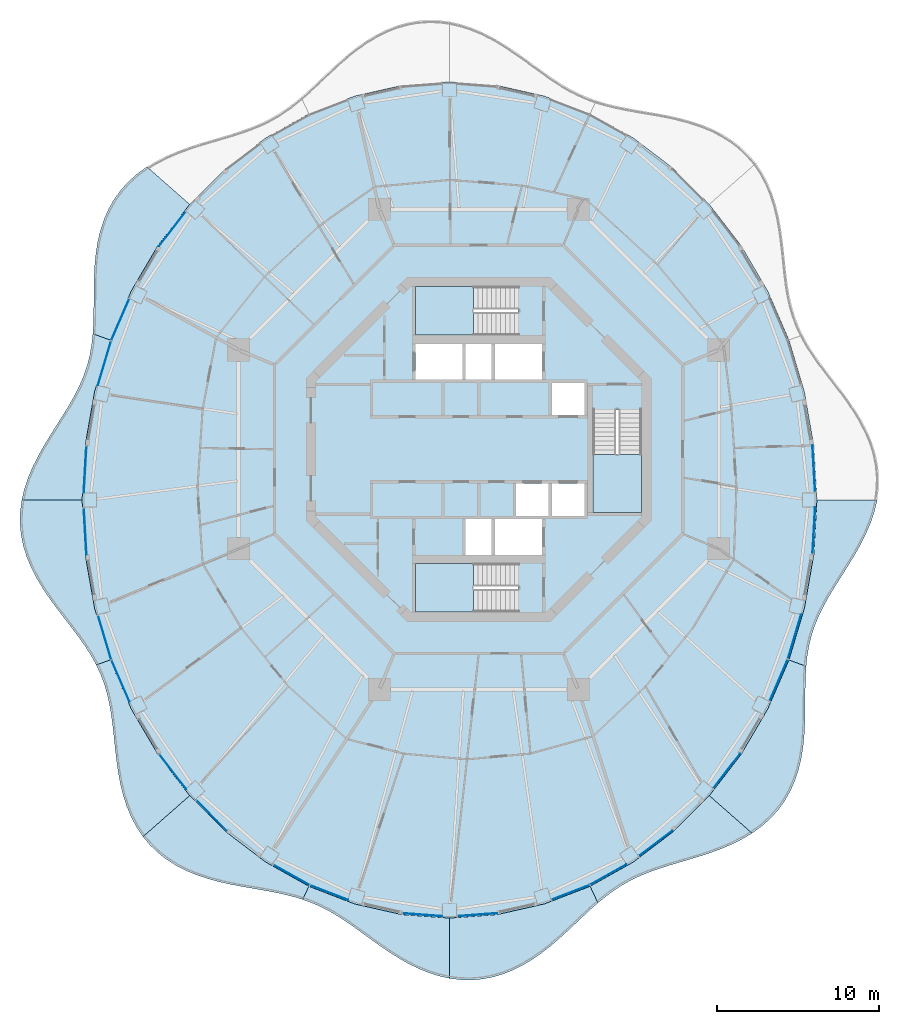
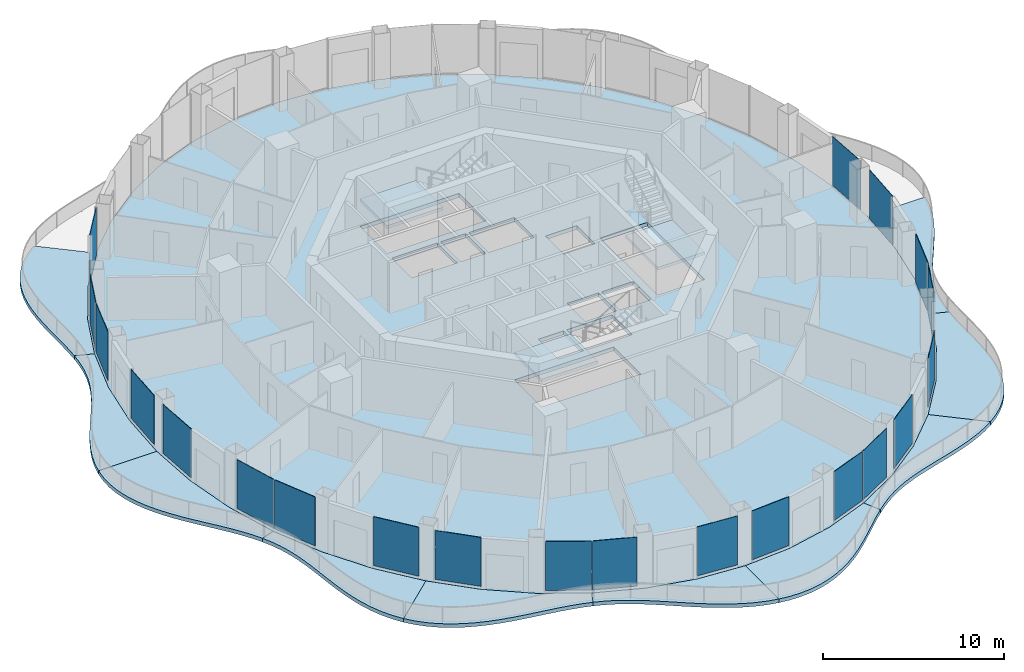
# One storey, part 8 of 17: 21 plates, 14 slabs, 24 elements without a shape of their own.
"""IFC4 building model written with IfcOpenShell, lengths in metres."""

from ifc_helpers import new_model, si_unit, direction, frame, origin, origin_2d, place, context, subcontext, project, spatial, polyline, rectangle, outline, extrude, material, layer, layer_set, type_object, element, aggregate, save


model = new_model("IFC4")

# Units and contexts
model_context = context("Model", 3, precision=1e-05, world=origin(), true_north=direction((0.0, 1.0)))
body_context = subcontext(model_context, "Body", "Model", "MODEL_VIEW")
ifc_project = project(units=[si_unit("LENGTHUNIT", "METRE"), si_unit("AREAUNIT", "SQUARE_METRE"), si_unit("VOLUMEUNIT", "CUBIC_METRE"), si_unit("PLANEANGLEUNIT", "RADIAN"), si_unit("MASSUNIT", "GRAM", prefix="KILO")], contexts=[model_context])

# Site, building, storey
site_placement = place(None, origin())
site = spatial("IfcSite", under=ifc_project, at=site_placement, CompositionType="ELEMENT")
building_placement = place(site_placement, origin())
building = spatial("IfcBuilding", under=site, at=building_placement, Name="Nagisa Residences", CompositionType="ELEMENT")
storey_placement = place(building_placement, frame((0.0, 0.0, 277.0)))
storey = spatial("IfcBuildingStorey", under=building, at=storey_placement, Name="L70", CompositionType="ELEMENT", Elevation=277.0)

# Slabs
ifc_material_1 = material(Name="Concrete C40/50", Category="concrete")
ifc_layer_1 = layer(ifc_material_1, 0.25)
ifc_layer_set_1 = layer_set([ifc_layer_1], Name="BALCONY SLAB 250")
slab_type_1 = type_object("IfcSlabType", Name="BALCONY SLAB 250", PredefinedType="FLOOR", material=ifc_layer_set_1)
slab_1_placement = place(storey_placement, frame((0.0, 0.0, -0.25)))
element("IfcSlab", 1, at=slab_1_placement, inside=storey, type_object=slab_type_1, Name="slab:L70:bal06", PredefinedType="FLOOR", context=body_context, shape_type="SweptSolid", body=[
    extrude(outline(polyline([(-20.42626953125, 17.395751953125), (-21.008056640625, 16.9755859375), (-21.539794921875, 16.50537109375), (-22.0146484375, 15.986083984375), (-22.428466796875, 15.419677734375), (-22.778076171875, 14.810546875), (-23.063720703125, 14.16357421875), (-23.287109375, 13.485595703125), (-23.452880859375, 12.783447265625), (-23.567138671875, 12.06494140625), (-23.638427734375, 11.337158203125), (-23.67626953125, 10.607421875), (-23.691650390625, 9.88232421875), (-23.696044921875, 9.1669921875), (-23.700927734375, 8.466064453125), (-23.7177734375, 7.782470703125), (-23.75634765625, 7.11767578125), (-22.6982421875, 6.732666015625), (-21.389404296875, 9.752197265625), (-19.74560546875, 12.5517578125), (-17.794677734375, 15.083251953125), (-20.42626953125, 17.395751953125)])), origin(), (0.0, 0.0, 1.0), 0.25),
])
slab_2_placement = place(storey_placement, frame((0.0, 0.0, -0.25)))
element("IfcSlab", 2, at=slab_2_placement, inside=storey, type_object=slab_type_1, Name="slab:L70:bal07", PredefinedType="FLOOR", context=body_context, shape_type="SweptSolid", body=[
    extrude(outline(polyline([(-23.75634765625, 7.11767578125), (-23.82861328125, 6.452392578125), (-23.941162109375, 5.806396484375), (-24.09912109375, 5.177978515625), (-24.305419921875, 4.5634765625), (-24.55908203125, 3.958740234375), (-24.857666015625, 3.359130859375), (-25.194580078125, 2.759765625), (-25.561767578125, 2.156494140625), (-25.94873046875, 1.544921875), (-26.343017578125, 0.921630859375), (-26.731689453125, 0.284423828125), (-27.10107421875, -0.3681640625), (-27.4375, -1.0361328125), (-27.728271484375, -1.718505859375), (-27.962158203125, -2.41357421875), (-28.12939453125, -3.11767578125), (-24.419921875, -3.11767578125), (-24.2265625, 0.241943359375), (-23.649169921875, 3.544189453125), (-22.6982421875, 6.732666015625), (-23.75634765625, 7.11767578125)])), origin(), (0.0, 0.0, 1.0), 0.25),
])
slab_3_placement = place(storey_placement, frame((0.0, 0.0, -0.25)))
element("IfcSlab", 3, at=slab_3_placement, inside=storey, type_object=slab_type_1, Name="slab:L70:bal08", PredefinedType="FLOOR", context=body_context, shape_type="SweptSolid", body=[
    extrude(outline(polyline([(-28.12939453125, -3.11767578125), (-28.223388671875, -3.82763671875), (-28.2392578125, -4.538818359375), (-28.175537109375, -5.246826171875), (-28.033447265625, -5.947509765625), (-27.817626953125, -6.636962890625), (-27.534423828125, -7.3115234375), (-27.193359375, -7.96923828125), (-26.8056640625, -8.6083984375), (-26.384033203125, -9.22900390625), (-25.941162109375, -9.83203125), (-25.4912109375, -10.419921875), (-25.047119140625, -10.99609375), (-24.620849609375, -11.564453125), (-24.222900390625, -12.13037109375), (-23.861572265625, -12.698974609375), (-23.54296875, -13.275390625), (-22.6982421875, -12.968017578125), (-23.649169921875, -9.77978515625), (-24.2265625, -6.4775390625), (-24.419921875, -3.11767578125), (-28.12939453125, -3.11767578125)])), origin(), (0.0, 0.0, 1.0), 0.25),
])
slab_4_placement = place(storey_placement, frame((0.0, 0.0, -0.25)))
element("IfcSlab", 4, at=slab_4_placement, inside=storey, type_object=slab_type_1, Name="slab:L70:bal09", PredefinedType="FLOOR", context=body_context, shape_type="SweptSolid", body=[
    extrude(outline(polyline([(-23.54296875, -13.275390625), (-23.278076171875, -13.8466796875), (-23.056640625, -14.434326171875), (-22.876953125, -15.041259765625), (-22.734619140625, -15.669921875), (-22.623291015625, -16.321044921875), (-22.534423828125, -16.99365234375), (-22.458251953125, -17.68603515625), (-22.38427734375, -18.39453125), (-22.3017578125, -19.11376953125), (-22.198974609375, -19.837646484375), (-22.06591796875, -20.559326171875), (-21.892822265625, -21.27001953125), (-21.671875, -21.962158203125), (-21.396484375, -22.626953125), (-21.06298828125, -23.2568359375), (-20.668701171875, -23.84423828125), (-17.794677734375, -21.318603515625), (-19.74560546875, -18.787109375), (-21.389404296875, -15.98779296875), (-22.6982421875, -12.968017578125), (-23.54296875, -13.275390625)])), origin(), (0.0, 0.0, 1.0), 0.25),
])
slab_5_placement = place(storey_placement, frame((0.0, 0.0, -0.25)))
element("IfcSlab", 5, at=slab_5_placement, inside=storey, type_object=slab_type_1, Name="slab:L70:bal10", PredefinedType="FLOOR", context=body_context, shape_type="SweptSolid", body=[
    extrude(outline(polyline([(-20.668701171875, -23.84423828125), (-20.237060546875, -24.359375), (-19.75244140625, -24.826904296875), (-19.218994140625, -25.244384765625), (-18.6416015625, -25.610595703125), (-18.02685546875, -25.9267578125), (-17.3818359375, -26.1953125), (-16.714599609375, -26.42041015625), (-16.033203125, -26.607666015625), (-15.345458984375, -26.763916015625), (-14.65869140625, -26.8974609375), (-13.979248046875, -27.01708984375), (-13.31298828125, -27.131591796875), (-12.6640625, -27.25), (-12.03466796875, -27.381103515625), (-11.426513671875, -27.5322265625), (-10.8388671875, -27.710205078125), (-10.456298828125, -26.8984375), (-13.110107421875, -25.4091796875), (-15.570068359375, -23.53857421875), (-17.794677734375, -21.318603515625), (-20.668701171875, -23.84423828125)])), origin(), (0.0, 0.0, 1.0), 0.25),
])
slab_6_placement = place(storey_placement, frame((0.0, 0.0, -0.25)))
element("IfcSlab", 6, at=slab_6_placement, inside=storey, type_object=slab_type_1, Name="slab:L70:bal11", PredefinedType="FLOOR", context=body_context, shape_type="SweptSolid", body=[
    extrude(outline(polyline([(-10.8388671875, -27.710205078125), (-10.29052734375, -27.911376953125), (-9.75732421875, -28.144775390625), (-9.235595703125, -28.411376953125), (-8.72119140625, -28.710693359375), (-8.209716796875, -29.039794921875), (-7.696044921875, -29.39453125), (-7.17626953125, -29.76904296875), (-6.645751953125, -30.15576171875), (-6.10107421875, -30.5458984375), (-5.53955078125, -30.93017578125), (-4.95947265625, -31.298583984375), (-4.360595703125, -31.64111328125), (-3.742919921875, -31.94775390625), (-3.1083984375, -32.20947265625), (-2.45947265625, -32.418212890625), (-1.800048828125, -32.567138671875), (-1.800048828125, -28.857666015625), (-4.75244140625, -28.637451171875), (-7.654541015625, -27.980712890625), (-10.456298828125, -26.8984375), (-10.8388671875, -27.710205078125)])), origin(), (0.0, 0.0, 1.0), 0.25),
])
slab_7_placement = place(storey_placement, frame((0.0, 0.0, -0.25)))
element("IfcSlab", 7, at=slab_7_placement, inside=storey, type_object=slab_type_1, Name="slab:L70:bal12", PredefinedType="FLOOR", context=body_context, shape_type="SweptSolid", body=[
    extrude(outline(polyline([(-1.800048828125, -32.567138671875), (-1.1337890625, -32.651123046875), (-0.4658203125, -32.666748046875), (0.19921875, -32.61279296875), (0.856201171875, -32.489990234375), (1.5009765625, -32.300537109375), (2.129638671875, -32.049072265625), (2.738525390625, -31.741943359375), (3.325927734375, -31.38671875), (3.89013671875, -30.99169921875), (4.431884765625, -30.56689453125), (4.95166015625, -30.121826171875), (5.4521484375, -29.66650390625), (5.936767578125, -29.21044921875), (6.4091796875, -28.762451171875), (6.87451171875, -28.330078125), (7.337890625, -27.920166015625), (6.856201171875, -26.8984375), (4.054443359375, -27.980712890625), (1.152587890625, -28.637451171875), (-1.800048828125, -28.857666015625), (-1.800048828125, -32.567138671875)])), origin(), (0.0, 0.0, 1.0), 0.25),
])
slab_8_placement = place(storey_placement, frame((0.0, 0.0, -0.25)))
element("IfcSlab", 8, at=slab_8_placement, inside=storey, type_object=slab_type_1, Name="slab:L70:bal13", PredefinedType="FLOOR", context=body_context, shape_type="SweptSolid", body=[
    extrude(outline(polyline([(7.337890625, -27.920166015625), (7.822265625, -27.523681640625), (8.315673828125, -27.16015625), (8.8232421875, -26.8310546875), (9.349365234375, -26.5361328125), (9.897216796875, -26.27294921875), (10.46875, -26.037109375), (11.064208984375, -25.823486328125), (11.68212890625, -25.624755859375), (12.31982421875, -25.433349609375), (12.972900390625, -25.240966796875), (13.635498046875, -25.039306640625), (14.30078125, -24.820068359375), (14.9609375, -24.575927734375), (15.607666015625, -24.299560546875), (16.232177734375, -23.986083984375), (16.826171875, -23.631103515625), (14.19482421875, -21.318603515625), (11.97021484375, -23.53857421875), (9.510009765625, -25.4091796875), (6.856201171875, -26.8984375), (7.337890625, -27.920166015625)])), origin(), (0.0, 0.0, 1.0), 0.25),
])
slab_9_placement = place(storey_placement, frame((0.0, 0.0, -0.25)))
element("IfcSlab", 9, at=slab_9_placement, inside=storey, type_object=slab_type_1, Name="slab:L70:bal14", PredefinedType="FLOOR", context=body_context, shape_type="SweptSolid", body=[
    extrude(outline(polyline([(16.826171875, -23.631103515625), (17.407958984375, -23.2109375), (17.939697265625, -22.740966796875), (18.414794921875, -22.221435546875), (18.828369140625, -21.655029296875), (19.17822265625, -21.0458984375), (19.4638671875, -20.39892578125), (19.687255859375, -19.720947265625), (19.852783203125, -19.018798828125), (19.967041015625, -18.30029296875), (20.038330078125, -17.572509765625), (20.076171875, -16.843017578125), (20.091552734375, -16.11767578125), (20.095947265625, -15.40234375), (20.10107421875, -14.701416015625), (20.11767578125, -14.017822265625), (20.15625, -13.353271484375), (19.09814453125, -12.968017578125), (17.78955078125, -15.98779296875), (16.145751953125, -18.787109375), (14.19482421875, -21.318603515625), (16.826171875, -23.631103515625)])), origin(), (0.0, 0.0, 1.0), 0.25),
])
slab_10_placement = place(storey_placement, frame((0.0, 0.0, -0.25)))
element("IfcSlab", 10, at=slab_10_placement, inside=storey, type_object=slab_type_1, Name="slab:L70:bal15", PredefinedType="FLOOR", context=body_context, shape_type="SweptSolid", body=[
    extrude(outline(polyline([(20.15625, -13.353271484375), (20.228515625, -12.687744140625), (20.341064453125, -12.0419921875), (20.4990234375, -11.413330078125), (20.705322265625, -10.798828125), (20.959228515625, -10.194091796875), (21.257568359375, -9.594482421875), (21.594482421875, -8.9951171875), (21.961669921875, -8.391845703125), (22.3486328125, -7.7802734375), (22.742919921875, -7.156982421875), (23.131591796875, -6.519775390625), (23.5009765625, -5.8671875), (23.83740234375, -5.19921875), (24.128173828125, -4.516845703125), (24.362060546875, -3.822021484375), (24.529541015625, -3.11767578125), (20.820068359375, -3.11767578125), (20.62646484375, -6.4775390625), (20.04931640625, -9.77978515625), (19.09814453125, -12.968017578125), (20.15625, -13.353271484375)])), origin(), (0.0, 0.0, 1.0), 0.25),
])

# Curtain wall, plate
ifc_material_2 = material(Name="Concrete-coloured aluminium curtain wall system", Category="concrete")
ifc_layer_2 = layer(ifc_material_2, 0.159912109375)
ifc_layer_set_2 = layer_set([ifc_layer_2], Name="CW1 CURTAIN WALL")
curtain_wall_type = type_object("IfcCurtainWallType", Name="CW1 CURTAIN WALL", PredefinedType="NOTDEFINED", material=ifc_layer_set_2)
curtain_wall_1_placement = place(storey_placement, origin())
curtain_wall_1 = element("IfcCurtainWall", 11, at=curtain_wall_1_placement, inside=storey, type_object=curtain_wall_type, Name="cw:CW1:L70:00", PredefinedType="NOTDEFINED")
ifc_material_3 = material(Name="Clear laminated glass", Category="glass")
ifc_layer_3 = layer(ifc_material_3, 0.028076171875)
ifc_layer_set_3 = layer_set([ifc_layer_3], Name="CW1 GLASS PANEL")
plate_type = type_object("IfcPlateType", Name="CW1 GLASS PANEL", PredefinedType="CURTAIN_PANEL", material=ifc_layer_set_3)
plate_1_placement = place(storey_placement, frame((20.628662109375, -1.187744140625, 0.14990234375), z_axis=(0.0, 0.0, 1.0), x_axis=(-0.057503492216, 0.998345305184, 0.0)))
plate_1 = element("IfcPlate", 12, at=plate_1_placement, type_object=plate_type, Name="CW1 panel", PredefinedType="CURTAIN_PANEL", context=body_context, shape_type="SweptSolid", body=[
    extrude(rectangle(XDim=2.855224609375, YDim=0.028076171875, at=origin_2d()), origin(), (0.0, 0.0, 1.0), 3.2900390625),
])
aggregate(curtain_wall_1, [plate_1])

curtain_wall_2_placement = place(storey_placement, origin())
curtain_wall_2 = element("IfcCurtainWall", 13, at=curtain_wall_2_placement, inside=storey, type_object=curtain_wall_type, Name="cw:CW1:L70:18", PredefinedType="NOTDEFINED")
plate_2_placement = place(storey_placement, frame((-18.862548828125, 13.566650390625, 0.14990234375), z_axis=(0.0, 0.0, 1.0), x_axis=(-0.610429828235, -0.792070340816, 0.0)))
plate_2 = element("IfcPlate", 14, at=plate_2_placement, type_object=plate_type, Name="CW1 panel", PredefinedType="CURTAIN_PANEL", context=body_context, shape_type="SweptSolid", body=[
    extrude(rectangle(XDim=2.68603515625, YDim=0.028076171875, at=origin_2d()), origin(), (0.0, 0.0, 1.0), 3.2900390625),
])
aggregate(curtain_wall_2, [plate_2])

curtain_wall_3_placement = place(storey_placement, origin())
curtain_wall_3 = element("IfcCurtainWall", 15, at=curtain_wall_3_placement, inside=storey, type_object=curtain_wall_type, Name="cw:CW1:L70:20", PredefinedType="NOTDEFINED")
plate_3_placement = place(storey_placement, frame((-22.07177734375, 7.9765625, 0.14990234375), z_axis=(0.0, 0.0, 1.0), x_axis=(-0.397635934147, -0.917543276295, 0.0)))
plate_3 = element("IfcPlate", 16, at=plate_3_placement, type_object=plate_type, Name="CW1 panel", PredefinedType="CURTAIN_PANEL", context=body_context, shape_type="SweptSolid", body=[
    extrude(rectangle(XDim=2.781005859375, YDim=0.028076171875, at=origin_2d()), origin(), (0.0, 0.0, 1.0), 3.2900390625),
])
aggregate(curtain_wall_3, [plate_3])

curtain_wall_4_placement = place(storey_placement, origin())
curtain_wall_4 = element("IfcCurtainWall", 17, at=curtain_wall_4_placement, inside=storey, type_object=curtain_wall_type, Name="cw:CW1:L70:21", PredefinedType="NOTDEFINED")
plate_4_placement = place(storey_placement, frame((-23.041259765625, 5.302490234375, 0.14990234375), z_axis=(0.0, 0.0, 1.0), x_axis=(-0.285860274038, -0.958271310082, 0.0)))
plate_4 = element("IfcPlate", 18, at=plate_4_placement, type_object=plate_type, Name="CW1 panel", PredefinedType="CURTAIN_PANEL", context=body_context, shape_type="SweptSolid", body=[
    extrude(rectangle(XDim=2.817138671875, YDim=0.028076171875, at=origin_2d()), origin(), (0.0, 0.0, 1.0), 3.2900390625),
])
aggregate(curtain_wall_4, [plate_4])

curtain_wall_5_placement = place(storey_placement, origin())
curtain_wall_5 = element("IfcCurtainWall", 19, at=curtain_wall_5_placement, inside=storey, type_object=curtain_wall_type, Name="cw:CW1:L70:23", PredefinedType="NOTDEFINED")
plate_5_placement = place(storey_placement, frame((-24.232177734375, -1.247802734375, 0.14990234375), z_axis=(0.0, 0.0, 1.0), x_axis=(-0.057503492216, -0.998345305184, 0.0)))
plate_5 = element("IfcPlate", 20, at=plate_5_placement, type_object=plate_type, Name="CW1 panel", PredefinedType="CURTAIN_PANEL", context=body_context, shape_type="SweptSolid", body=[
    extrude(rectangle(XDim=2.855224609375, YDim=0.028076171875, at=origin_2d()), origin(), (0.0, 0.0, 1.0), 3.2900390625),
])
aggregate(curtain_wall_5, [plate_5])

curtain_wall_6_placement = place(storey_placement, origin())
curtain_wall_6 = element("IfcCurtainWall", 21, at=curtain_wall_6_placement, inside=storey, type_object=curtain_wall_type, Name="cw:CW1:L70:24", PredefinedType="NOTDEFINED")
plate_6_placement = place(storey_placement, frame((-24.228759765625, -5.047607421875, 0.14990234375), z_axis=(0.0, 0.0, 1.0), x_axis=(0.057503492216, -0.998345305184, 0.0)))
plate_6 = element("IfcPlate", 22, at=plate_6_placement, type_object=plate_type, Name="CW1 panel", PredefinedType="CURTAIN_PANEL", context=body_context, shape_type="SweptSolid", body=[
    extrude(rectangle(XDim=2.855224609375, YDim=0.028076171875, at=origin_2d()), origin(), (0.0, 0.0, 1.0), 3.2900390625),
])
aggregate(curtain_wall_6, [plate_6])

curtain_wall_7_placement = place(storey_placement, origin())
curtain_wall_7 = element("IfcCurtainWall", 23, at=curtain_wall_7_placement, inside=storey, type_object=curtain_wall_type, Name="cw:CW1:L70:26", PredefinedType="NOTDEFINED")
plate_7_placement = place(storey_placement, frame((-23.024169921875, -11.59521484375, 0.14990234375), z_axis=(0.0, 0.0, 1.0), x_axis=(0.285860274038, -0.958271310082, 0.0)))
plate_7 = element("IfcPlate", 24, at=plate_7_placement, type_object=plate_type, Name="CW1 panel", PredefinedType="CURTAIN_PANEL", context=body_context, shape_type="SweptSolid", body=[
    extrude(rectangle(XDim=2.817138671875, YDim=0.028076171875, at=origin_2d()), origin(), (0.0, 0.0, 1.0), 3.2900390625),
])
aggregate(curtain_wall_7, [plate_7])

curtain_wall_8_placement = place(storey_placement, origin())
curtain_wall_8 = element("IfcCurtainWall", 25, at=curtain_wall_8_placement, inside=storey, type_object=curtain_wall_type, Name="cw:CW1:L70:27", PredefinedType="NOTDEFINED")
plate_8_placement = place(storey_placement, frame((-22.0478515625, -14.26708984375, 0.14990234375), z_axis=(0.0, 0.0, 1.0), x_axis=(0.397635934147, -0.917543276295, 0.0)))
plate_8 = element("IfcPlate", 26, at=plate_8_placement, type_object=plate_type, Name="CW1 panel", PredefinedType="CURTAIN_PANEL", context=body_context, shape_type="SweptSolid", body=[
    extrude(rectangle(XDim=2.781005859375, YDim=0.028076171875, at=origin_2d()), origin(), (0.0, 0.0, 1.0), 3.2900390625),
])
aggregate(curtain_wall_8, [plate_8])

curtain_wall_9_placement = place(storey_placement, origin())
curtain_wall_9 = element("IfcCurtainWall", 27, at=curtain_wall_9_placement, inside=storey, type_object=curtain_wall_type, Name="cw:CW1:L70:29", PredefinedType="NOTDEFINED")
plate_9_placement = place(storey_placement, frame((-18.825927734375, -19.849609375, 0.14990234375), z_axis=(0.0, 0.0, 1.0), x_axis=(0.610429828235, -0.792070340816, 0.0)))
plate_9 = element("IfcPlate", 28, at=plate_9_placement, type_object=plate_type, Name="CW1 panel", PredefinedType="CURTAIN_PANEL", context=body_context, shape_type="SweptSolid", body=[
    extrude(rectangle(XDim=2.68603515625, YDim=0.028076171875, at=origin_2d()), origin(), (0.0, 0.0, 1.0), 3.2900390625),
])
aggregate(curtain_wall_9, [plate_9])

curtain_wall_10_placement = place(storey_placement, origin())
curtain_wall_10 = element("IfcCurtainWall", 29, at=curtain_wall_10_placement, inside=storey, type_object=curtain_wall_type, Name="cw:CW1:L70:30", PredefinedType="NOTDEFINED")
plate_10_placement = place(storey_placement, frame((-16.445556640625, -22.552001953125, 0.14990234375), z_axis=(0.0, 0.0, 1.0), x_axis=(0.707835924016, -0.706376885714, 0.0)))
plate_10 = element("IfcPlate", 30, at=plate_10_placement, type_object=plate_type, Name="CW1 panel", PredefinedType="CURTAIN_PANEL", context=body_context, shape_type="SweptSolid", body=[
    extrude(rectangle(XDim=2.6328125, YDim=0.028076171875, at=origin_2d()), origin(), (0.0, 0.0, 1.0), 3.2900390625),
])
aggregate(curtain_wall_10, [plate_10])

curtain_wall_11_placement = place(storey_placement, origin())
curtain_wall_11 = element("IfcCurtainWall", 31, at=curtain_wall_11_placement, inside=storey, type_object=curtain_wall_type, Name="cw:CW1:L70:32", PredefinedType="NOTDEFINED")
plate_11_placement = place(storey_placement, frame((-11.521728515625, -26.208740234375, 0.14990234375), z_axis=(0.0, 0.0, 1.0), x_axis=(0.872072377523, -0.489376918501, 0.0)))
plate_11 = element("IfcPlate", 32, at=plate_11_placement, type_object=plate_type, Name="CW1 panel", PredefinedType="CURTAIN_PANEL", context=body_context, shape_type="SweptSolid", body=[
    extrude(rectangle(XDim=2.532958984375, YDim=0.028076171875, at=origin_2d()), origin(), (0.0, 0.0, 1.0), 3.2900390625),
])
aggregate(curtain_wall_11, [plate_11])

curtain_wall_12_placement = place(storey_placement, origin())
curtain_wall_12 = element("IfcCurtainWall", 33, at=curtain_wall_12_placement, inside=storey, type_object=curtain_wall_type, Name="cw:CW1:L70:33", PredefinedType="NOTDEFINED")
plate_12_placement = place(storey_placement, frame((-9.20849609375, -27.294677734375, 0.14990234375), z_axis=(0.0, 0.0, 1.0), x_axis=(0.932825759707, -0.360327770268, 0.0)))
plate_12 = element("IfcPlate", 34, at=plate_12_placement, type_object=plate_type, Name="CW1 panel", PredefinedType="CURTAIN_PANEL", context=body_context, shape_type="SweptSolid", body=[
    extrude(rectangle(XDim=2.49365234375, YDim=0.028076171875, at=origin_2d()), origin(), (0.0, 0.0, 1.0), 3.2900390625),
])
aggregate(curtain_wall_12, [plate_12])

curtain_wall_13_placement = place(storey_placement, origin())
curtain_wall_13 = element("IfcCurtainWall", 35, at=curtain_wall_13_placement, inside=storey, type_object=curtain_wall_type, Name="cw:CW1:L70:35", PredefinedType="NOTDEFINED")
plate_13_placement = place(storey_placement, frame((-3.46484375, -28.6533203125, 0.14990234375), z_axis=(0.0, 0.0, 1.0), x_axis=(0.997230168512, -0.074377355493, 0.0)))
plate_13 = element("IfcPlate", 36, at=plate_13_placement, type_object=plate_type, Name="CW1 panel", PredefinedType="CURTAIN_PANEL", context=body_context, shape_type="SweptSolid", body=[
    extrude(rectangle(XDim=2.45068359375, YDim=0.028076171875, at=origin_2d()), origin(), (0.0, 0.0, 1.0), 3.2900390625),
])
aggregate(curtain_wall_13, [plate_13])

curtain_wall_14_placement = place(storey_placement, origin())
curtain_wall_14 = element("IfcCurtainWall", 37, at=curtain_wall_14_placement, inside=storey, type_object=curtain_wall_type, Name="cw:CW1:L70:36", PredefinedType="NOTDEFINED")
plate_14_placement = place(storey_placement, frame((-0.075439453125, -28.64892578125, 0.14990234375), z_axis=(0.0, 0.0, 1.0), x_axis=(0.997230168512, 0.074377355493, 0.0)))
plate_14 = element("IfcPlate", 38, at=plate_14_placement, type_object=plate_type, Name="CW1 panel", PredefinedType="CURTAIN_PANEL", context=body_context, shape_type="SweptSolid", body=[
    extrude(rectangle(XDim=2.45068359375, YDim=0.028076171875, at=origin_2d()), origin(), (0.0, 0.0, 1.0), 3.2900390625),
])
aggregate(curtain_wall_14, [plate_14])

curtain_wall_15_placement = place(storey_placement, origin())
curtain_wall_15 = element("IfcCurtainWall", 39, at=curtain_wall_15_placement, inside=storey, type_object=curtain_wall_type, Name="cw:CW1:L70:38", PredefinedType="NOTDEFINED")
plate_15_placement = place(storey_placement, frame((5.66455078125, -27.27294921875, 0.14990234375), z_axis=(0.0, 0.0, 1.0), x_axis=(0.932825759707, 0.360327770268, 0.0)))
plate_15 = element("IfcPlate", 40, at=plate_15_placement, type_object=plate_type, Name="CW1 panel", PredefinedType="CURTAIN_PANEL", context=body_context, shape_type="SweptSolid", body=[
    extrude(rectangle(XDim=2.49365234375, YDim=0.028076171875, at=origin_2d()), origin(), (0.0, 0.0, 1.0), 3.2900390625),
])
aggregate(curtain_wall_15, [plate_15])

curtain_wall_16_placement = place(storey_placement, origin())
curtain_wall_16 = element("IfcCurtainWall", 41, at=curtain_wall_16_placement, inside=storey, type_object=curtain_wall_type, Name="cw:CW1:L70:39", PredefinedType="NOTDEFINED")
plate_16_placement = place(storey_placement, frame((7.973876953125, -26.179443359375, 0.14990234375), z_axis=(0.0, 0.0, 1.0), x_axis=(0.872072377523, 0.489376918501, 0.0)))
plate_16 = element("IfcPlate", 42, at=plate_16_placement, type_object=plate_type, Name="CW1 panel", PredefinedType="CURTAIN_PANEL", context=body_context, shape_type="SweptSolid", body=[
    extrude(rectangle(XDim=2.532958984375, YDim=0.028076171875, at=origin_2d()), origin(), (0.0, 0.0, 1.0), 3.2900390625),
])
aggregate(curtain_wall_16, [plate_16])

curtain_wall_17_placement = place(storey_placement, origin())
curtain_wall_17 = element("IfcCurtainWall", 43, at=curtain_wall_17_placement, inside=storey, type_object=curtain_wall_type, Name="cw:CW1:L70:40", PredefinedType="NOTDEFINED")
plate_17_placement = place(storey_placement, frame((10.894775390625, -24.255859375, 0.14990234375), z_axis=(0.0, 0.0, 1.0), x_axis=(0.79603132756, 0.605255421737, 0.0)))
plate_17 = element("IfcPlate", 44, at=plate_17_placement, type_object=plate_type, Name="CW1 panel", PredefinedType="CURTAIN_PANEL", context=body_context, shape_type="SweptSolid", body=[
    extrude(rectangle(XDim=2.58056640625, YDim=0.028076171875, at=origin_2d()), origin(), (0.0, 0.0, 1.0), 3.2900390625),
])
aggregate(curtain_wall_17, [plate_17])

curtain_wall_18_placement = place(storey_placement, origin())
curtain_wall_18 = element("IfcCurtainWall", 45, at=curtain_wall_18_placement, inside=storey, type_object=curtain_wall_type, Name="cw:CW1:L70:42", PredefinedType="NOTDEFINED")
plate_18_placement = place(storey_placement, frame((15.262451171875, -19.802001953125, 0.14990234375), z_axis=(0.0, 0.0, 1.0), x_axis=(0.610429828235, 0.792070340816, 0.0)))
plate_18 = element("IfcPlate", 46, at=plate_18_placement, type_object=plate_type, Name="CW1 panel", PredefinedType="CURTAIN_PANEL", context=body_context, shape_type="SweptSolid", body=[
    extrude(rectangle(XDim=2.68603515625, YDim=0.028076171875, at=origin_2d()), origin(), (0.0, 0.0, 1.0), 3.2900390625),
])
aggregate(curtain_wall_18, [plate_18])

curtain_wall_19_placement = place(storey_placement, origin())
curtain_wall_19 = element("IfcCurtainWall", 47, at=curtain_wall_19_placement, inside=storey, type_object=curtain_wall_type, Name="cw:CW1:L70:44", PredefinedType="NOTDEFINED")
plate_19_placement = place(storey_placement, frame((18.471923828125, -14.212158203125, 0.14990234375), z_axis=(0.0, 0.0, 1.0), x_axis=(0.397635934147, 0.917543276295, 0.0)))
plate_19 = element("IfcPlate", 48, at=plate_19_placement, type_object=plate_type, Name="CW1 panel", PredefinedType="CURTAIN_PANEL", context=body_context, shape_type="SweptSolid", body=[
    extrude(rectangle(XDim=2.781005859375, YDim=0.028076171875, at=origin_2d()), origin(), (0.0, 0.0, 1.0), 3.2900390625),
])
aggregate(curtain_wall_19, [plate_19])

curtain_wall_20_placement = place(storey_placement, origin())
curtain_wall_20 = element("IfcCurtainWall", 49, at=curtain_wall_20_placement, inside=storey, type_object=curtain_wall_type, Name="cw:CW1:L70:45", PredefinedType="NOTDEFINED")
plate_20_placement = place(storey_placement, frame((19.44140625, -11.537841796875, 0.14990234375), z_axis=(0.0, 0.0, 1.0), x_axis=(0.285860274038, 0.958271310082, 0.0)))
plate_20 = element("IfcPlate", 50, at=plate_20_placement, type_object=plate_type, Name="CW1 panel", PredefinedType="CURTAIN_PANEL", context=body_context, shape_type="SweptSolid", body=[
    extrude(rectangle(XDim=2.817138671875, YDim=0.028076171875, at=origin_2d()), origin(), (0.0, 0.0, 1.0), 3.2900390625),
])
aggregate(curtain_wall_20, [plate_20])

curtain_wall_21_placement = place(storey_placement, origin())
curtain_wall_21 = element("IfcCurtainWall", 51, at=curtain_wall_21_placement, inside=storey, type_object=curtain_wall_type, Name="cw:CW1:L70:47", PredefinedType="NOTDEFINED")
plate_21_placement = place(storey_placement, frame((20.632080078125, -4.987548828125, 0.14990234375), z_axis=(0.0, 0.0, 1.0), x_axis=(0.057503492216, 0.998345305184, 0.0)))
plate_21 = element("IfcPlate", 52, at=plate_21_placement, type_object=plate_type, Name="CW1 panel", PredefinedType="CURTAIN_PANEL", context=body_context, shape_type="SweptSolid", body=[
    extrude(rectangle(XDim=2.855224609375, YDim=0.028076171875, at=origin_2d()), origin(), (0.0, 0.0, 1.0), 3.2900390625),
])
aggregate(curtain_wall_21, [plate_21])

# Slab
ifc_material_4 = material(Name="Concrete C40", Category="concrete")
ifc_layer_4 = layer(ifc_material_4, 0.260009765625)
ifc_layer_set_4 = layer_set([ifc_layer_4], Name="Floor slab 260")
slab_type_2 = type_object("IfcSlabType", Name="Floor slab 260", PredefinedType="FLOOR", material=ifc_layer_set_4)
slab_11_placement = place(storey_placement, frame((0.0, 0.0, -0.260009765625)))
element("IfcSlab", 53, at=slab_11_placement, inside=storey, type_object=slab_type_2, Name="slab:L70:floor", PredefinedType="FLOOR", context=body_context, shape_type="SweptSolid", body=[
    extrude(outline(polyline([(20.820068359375, -3.11767578125), (20.62646484375, 0.241943359375), (20.04931640625, 3.544189453125), (19.09814453125, 6.732666015625), (17.78955078125, 9.752197265625), (16.145751953125, 12.5517578125), (14.19482421875, 15.083251953125), (11.97021484375, 17.30322265625), (9.510009765625, 19.173828125), (6.856201171875, 20.6630859375), (4.054443359375, 21.745361328125), (1.152587890625, 22.402099609375), (-1.800048828125, 22.622314453125), (-4.75244140625, 22.402099609375), (-7.654541015625, 21.745361328125), (-10.456298828125, 20.6630859375), (-13.110107421875, 19.173828125), (-15.570068359375, 17.30322265625), (-17.794677734375, 15.083251953125), (-19.74560546875, 12.5517578125), (-21.389404296875, 9.752197265625), (-22.6982421875, 6.732666015625), (-23.649169921875, 3.544189453125), (-24.2265625, 0.241943359375), (-24.419921875, -3.11767578125), (-24.2265625, -6.4775390625), (-23.649169921875, -9.77978515625), (-22.6982421875, -12.968017578125), (-21.389404296875, -15.98779296875), (-19.74560546875, -18.787109375), (-17.794677734375, -21.318603515625), (-15.570068359375, -23.53857421875), (-13.110107421875, -25.4091796875), (-10.456298828125, -26.8984375), (-7.654541015625, -27.980712890625), (-4.75244140625, -28.637451171875), (-1.800048828125, -28.857666015625), (1.152587890625, -28.637451171875), (4.054443359375, -27.980712890625), (6.856201171875, -26.8984375), (9.510009765625, -25.4091796875), (11.97021484375, -23.53857421875), (14.19482421875, -21.318603515625), (16.145751953125, -18.787109375), (17.78955078125, -15.98779296875), (19.09814453125, -12.968017578125), (20.04931640625, -9.77978515625), (20.62646484375, -6.4775390625), (20.820068359375, -3.11767578125)]), holes=[polyline([(6.5, 2.10009765625), (6.5, 4.10009765625), (4.5, 4.10009765625), (4.5, 2.10009765625), (6.5, 2.10009765625)]), polyline([(4.300048828125, -4.10009765625), (4.300048828125, -2.10009765625), (2.300048828125, -2.10009765625), (2.300048828125, -4.10009765625), (4.300048828125, -4.10009765625)]), polyline([(6.5, -4.10009765625), (6.5, -2.10009765625), (4.5, -2.10009765625), (4.5, -4.10009765625), (6.5, -4.10009765625)]), polyline([(3.89990234375, 4.300048828125), (3.89990234375, 6.5), (1.0, 6.5), (1.0, 4.300048828125), (3.89990234375, 4.300048828125)]), polyline([(3.89990234375, -6.5), (3.89990234375, -4.300048828125), (1.0, -4.300048828125), (1.0, -6.5), (3.89990234375, -6.5)]), polyline([(-1.0, 4.300048828125), (-1.0, 6.5), (-3.89990234375, 6.5), (-3.89990234375, 4.300048828125), (-1.0, 4.300048828125)]), polyline([(0.800048828125, 4.300048828125), (0.800048828125, 6.5), (-0.800048828125, 6.5), (-0.800048828125, 4.300048828125), (0.800048828125, 4.300048828125)]), polyline([(0.800048828125, -6.5), (0.800048828125, -4.300048828125), (-0.800048828125, -4.300048828125), (-0.800048828125, -6.5), (0.800048828125, -6.5)]), polyline([(10.024658203125, -3.89990234375), (7.024658203125, -3.89990234375), (7.024658203125, 2.425048828125), (10.024658203125, 2.425048828125), (10.024658203125, -3.89990234375)]), polyline([(-3.89990234375, 7.024658203125), (-3.89990234375, 10.024658203125), (2.425048828125, 10.024658203125), (2.425048828125, 7.024658203125), (-3.89990234375, 7.024658203125)]), polyline([(-3.89990234375, -10.024658203125), (-3.89990234375, -7.024658203125), (2.425048828125, -7.024658203125), (2.425048828125, -10.024658203125), (-3.89990234375, -10.024658203125)])]), origin(), (0.0, 0.0, 1.0), 0.260009765625),
])

# Stair, slab
ifc_material_5 = material(Name="Concrete C60", Category="concrete")
stair_type = type_object("IfcStairType", Name="Exit stair", PredefinedType="HALF_TURN_STAIR", material=ifc_material_5)
stair_1_placement = place(storey_placement, origin())
stair_1 = element("IfcStair", 54, at=stair_1_placement, inside=storey, type_object=stair_type, Name="L70 Exit stair E", PredefinedType="HALF_TURN_STAIR")
ifc_material_6 = material(Name="Concrete C60", Category="concrete")
ifc_layer_5 = layer(ifc_material_6, 0.199951171875)
ifc_layer_set_5 = layer_set([ifc_layer_5], Name="Stair landing")
slab_type_3 = type_object("IfcSlabType", Name="Stair landing", PredefinedType="LANDING", material=ifc_layer_set_5)
slab_12_placement = place(storey_placement, frame((0.0, 0.0, 1.64990234375)))
slab_12 = element("IfcSlab", 55, at=slab_12_placement, type_object=slab_type_3, Name="ST-E landing 1", PredefinedType="LANDING", context=body_context, shape_type="SweptSolid", body=[
    extrude(outline(polyline([(7.024658203125, -0.324951171875), (7.024658203125, -3.89990234375), (10.024658203125, -3.89990234375), (10.024658203125, -0.324951171875), (7.024658203125, -0.324951171875)])), origin(), (0.0, 0.0, 1.0), 0.2001953125),
])
aggregate(stair_1, [slab_12])

stair_2_placement = place(storey_placement, origin())
stair_2 = element("IfcStair", 56, at=stair_2_placement, inside=storey, type_object=stair_type, Name="L70 Exit stair N", PredefinedType="HALF_TURN_STAIR")
slab_13_placement = place(storey_placement, frame((0.0, 0.0, 1.64990234375)))
slab_13 = element("IfcSlab", 57, at=slab_13_placement, type_object=slab_type_3, Name="ST-N landing 1", PredefinedType="LANDING", context=body_context, shape_type="SweptSolid", body=[
    extrude(outline(polyline([(-0.324951171875, 10.024658203125), (-3.89990234375, 10.024658203125), (-3.89990234375, 7.024658203125), (-0.324951171875, 7.024658203125), (-0.324951171875, 10.024658203125)])), origin(), (0.0, 0.0, 1.0), 0.2001953125),
])
aggregate(stair_2, [slab_13])

stair_3_placement = place(storey_placement, origin())
stair_3 = element("IfcStair", 58, at=stair_3_placement, inside=storey, type_object=stair_type, Name="L70 Exit stair S", PredefinedType="HALF_TURN_STAIR")
slab_14_placement = place(storey_placement, frame((0.0, 0.0, 1.64990234375)))
slab_14 = element("IfcSlab", 59, at=slab_14_placement, type_object=slab_type_3, Name="ST-S landing 1", PredefinedType="LANDING", context=body_context, shape_type="SweptSolid", body=[
    extrude(outline(polyline([(-0.324951171875, -7.024658203125), (-3.89990234375, -7.024658203125), (-3.89990234375, -10.024658203125), (-0.324951171875, -10.024658203125), (-0.324951171875, -7.024658203125)])), origin(), (0.0, 0.0, 1.0), 0.2001953125),
])
aggregate(stair_3, [slab_14])

save(model, "model.ifc")
